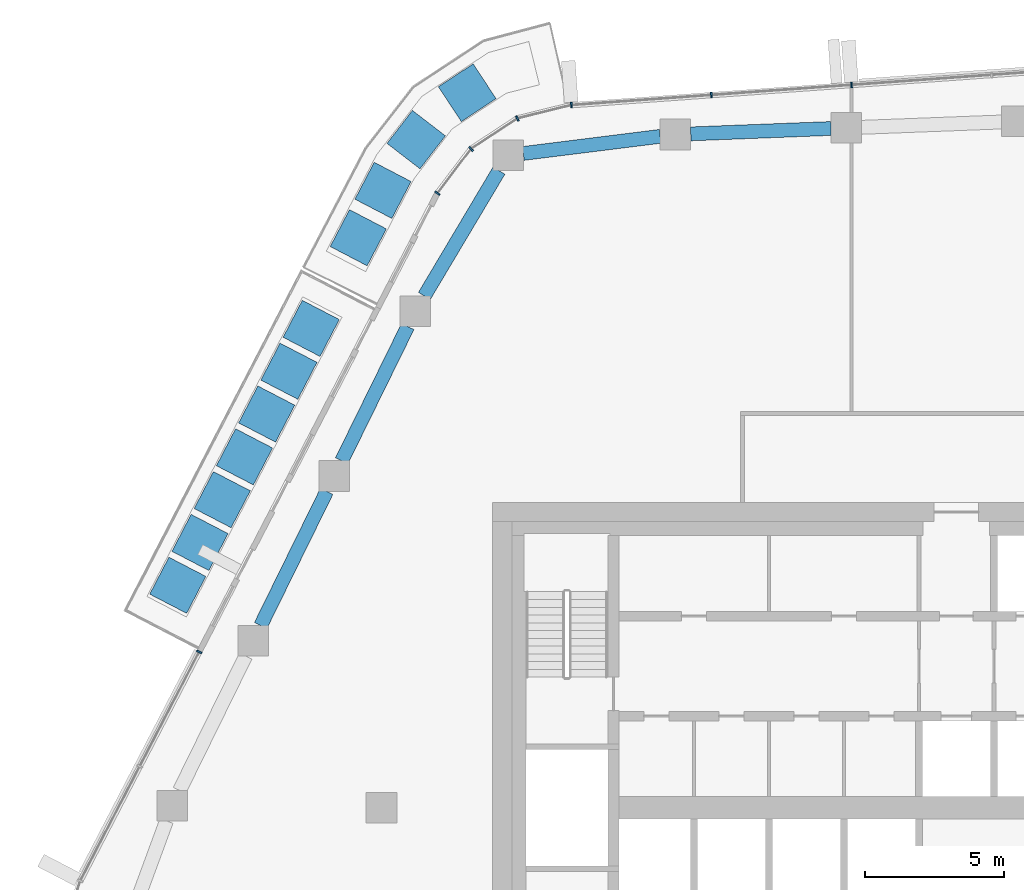
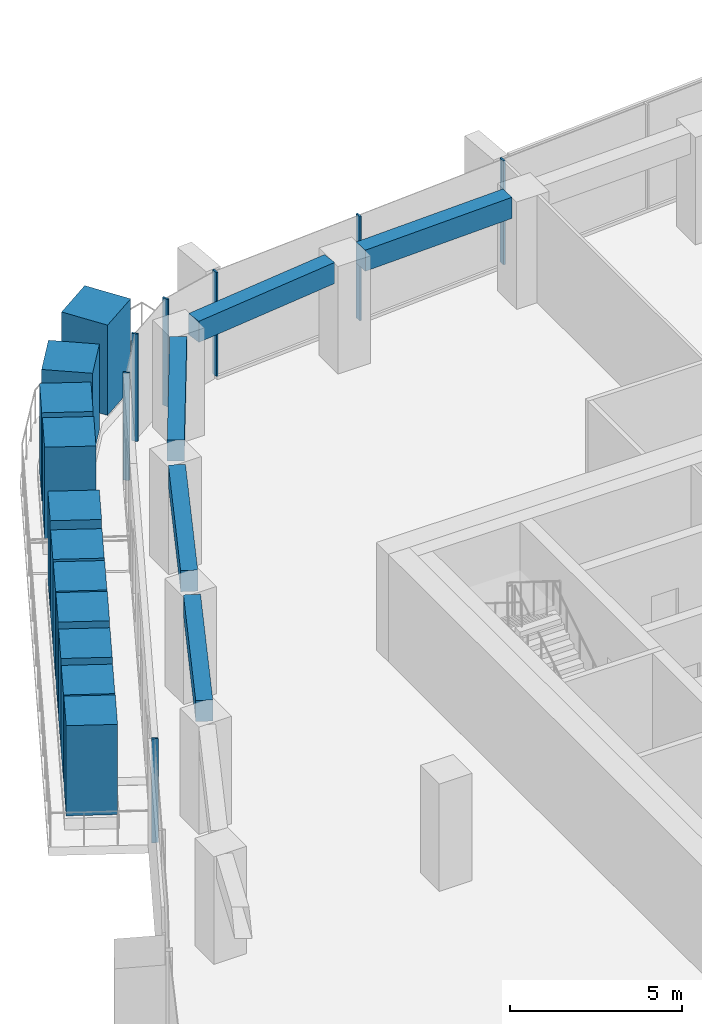
# One storey, part 7 of 21: 18 members, 5 beams, 3 elements without a shape of their own.
"""IFC4 building model written with IfcOpenShell, lengths in metres."""

from ifc_helpers import new_model, si_unit, direction, frame, origin, origin_2d, place, context, subcontext, project, spatial, rectangle, extrude, material, layer, layer_set, material_profile, profile_set, type_object, element, aggregate, save


model = new_model("IFC4")

# Units and contexts
model_context = context("Model", 3, precision=1e-05, world=origin(), true_north=direction((0.0, 1.0)))
body_context = subcontext(model_context, "Body", "Model", "MODEL_VIEW")
ifc_project = project(units=[si_unit("LENGTHUNIT", "METRE"), si_unit("AREAUNIT", "SQUARE_METRE"), si_unit("VOLUMEUNIT", "CUBIC_METRE"), si_unit("PLANEANGLEUNIT", "RADIAN"), si_unit("MASSUNIT", "GRAM", prefix="KILO")], contexts=[model_context])

# Site, building, storey
site_placement = place(None, origin())
site = spatial("IfcSite", under=ifc_project, at=site_placement, CompositionType="ELEMENT")
building_placement = place(site_placement, origin())
building = spatial("IfcBuilding", under=site, at=building_placement, Name="Dongbaek Canopy Tower", CompositionType="ELEMENT")
storey_placement = place(building_placement, frame((0.0, 0.0, 274.800048828125)))
storey = spatial("IfcBuildingStorey", under=building, at=storey_placement, Name="L58", CompositionType="ELEMENT", Elevation=274.800048828125)

# Curtain wall, members
ifc_material_1 = material(Name="Aluminium 6063-T6 pale anodised", Category="aluminium")
ifc_layer = layer(ifc_material_1, 0.199951171875)
ifc_layer_set = layer_set([ifc_layer], Name="CW-1 unitised tower curtain wall")
curtain_wall_type = type_object("IfcCurtainWallType", Name="CW-1 unitised tower curtain wall", PredefinedType="NOTDEFINED", material=ifc_layer_set)
curtain_wall_1_placement = place(storey_placement, origin())
curtain_wall_1 = element("IfcCurtainWall", 1, at=curtain_wall_1_placement, inside=storey, type_object=curtain_wall_type, Name="CW-1 curtain wall F1.1", PredefinedType="NOTDEFINED")
ifc_material_2 = material(Name="Aluminium 6063-T6 pale anodised", Category="aluminium")
ifc_material_profile_1 = material_profile(ifc_material_2, rectangle(XDim=0.199951171875, YDim=0.06005859375, at=origin_2d()), Name="CW-1 mullion 60 x 200")
ifc_profile_set_1 = profile_set([ifc_material_profile_1], Name="Aluminium 6063-T6 pale anodised")
member_type_1 = type_object("IfcMemberType", Name="CW-1 mullion 60 x 200", PredefinedType="MULLION", material=ifc_profile_set_1)
member_1_placement = place(storey_placement, frame((-1.07568359375, 26.025146484375, 0.119873046875), z_axis=(0.0, 0.0, 1.0), x_axis=(-0.07174408026, 0.997423073198, 0.0)))
member_1 = element("IfcMember", 2, at=member_1_placement, type_object=member_type_1, Name="CW-1 mullion F1.1.3", PredefinedType="MULLION", context=body_context, shape_type="SweptSolid", body=[
    extrude(rectangle(XDim=0.199951171875, YDim=0.06005859375, at=origin_2d()), origin(), (0.0, 0.0, 1.0), 3.7001953125),
])
member_2_placement = place(storey_placement, frame((-6.123046875, 25.662109375, 0.119873046875), z_axis=(0.0, 0.0, 1.0), x_axis=(-0.07174408026, 0.997423073198, 0.0)))
member_2 = element("IfcMember", 3, at=member_2_placement, type_object=member_type_1, Name="CW-1 mullion F1.1.4", PredefinedType="MULLION", context=body_context, shape_type="SweptSolid", body=[
    extrude(rectangle(XDim=0.199951171875, YDim=0.06005859375, at=origin_2d()), origin(), (0.0, 0.0, 1.0), 3.7001953125),
])
member_3_placement = place(storey_placement, frame((-11.161865234375, 25.2998046875, 0.119873046875), z_axis=(0.0, 0.0, 1.0), x_axis=(-0.07174408026, 0.997423073198, 0.0)))
member_3 = element("IfcMember", 4, at=member_3_placement, type_object=member_type_1, Name="CW-1 mullion F1.1.5", PredefinedType="MULLION", context=body_context, shape_type="SweptSolid", body=[
    extrude(rectangle(XDim=0.199951171875, YDim=0.06005859375, at=origin_2d()), origin(), (0.0, 0.0, 1.0), 3.7001953125),
])
aggregate(curtain_wall_1, [member_1, member_2, member_3])

curtain_wall_2_placement = place(storey_placement, origin())
curtain_wall_2 = element("IfcCurtainWall", 5, at=curtain_wall_2_placement, inside=storey, type_object=curtain_wall_type, Name="CW-1 curtain wall K2.1", PredefinedType="NOTDEFINED")
member_4_placement = place(storey_placement, frame((-13.10791015625, 24.819580078125, 0.0), z_axis=(0.0, 0.0, 1.0), x_axis=(-0.400265854964, 0.916399064464, 0.0)))
member_4 = element("IfcMember", 6, at=member_4_placement, type_object=member_type_1, Name="CW-1 mullion K2.1.2", PredefinedType="MULLION", context=body_context, shape_type="SweptSolid", body=[
    extrude(rectangle(XDim=0.199951171875, YDim=0.06005859375, at=origin_2d()), origin(), (0.0, 0.0, 1.0), 3.820068359375),
])
member_5_placement = place(storey_placement, frame((-14.775390625, 23.722900390625, 0.0), z_axis=(0.0, 0.0, 1.0), x_axis=(-0.682960612971, 0.730455201316, 0.0)))
member_5 = element("IfcMember", 7, at=member_5_placement, type_object=member_type_1, Name="CW-1 mullion K2.1.3", PredefinedType="MULLION", context=body_context, shape_type="SweptSolid", body=[
    extrude(rectangle(XDim=0.199951171875, YDim=0.06005859375, at=origin_2d()), origin(), (0.0, 0.0, 1.0), 3.820068359375),
])
member_6_placement = place(storey_placement, frame((-15.987060546875, 22.1259765625, 0.0), z_axis=(0.0, 0.0, 1.0), x_axis=(-0.796696055663, 0.604380174138, 0.0)))
member_6 = element("IfcMember", 8, at=member_6_placement, type_object=member_type_1, Name="CW-1 mullion K2.1.4", PredefinedType="MULLION", context=body_context, shape_type="SweptSolid", body=[
    extrude(rectangle(XDim=0.199951171875, YDim=0.06005859375, at=origin_2d()), origin(), (0.0, 0.0, 1.0), 3.820068359375),
])
aggregate(curtain_wall_2, [member_4, member_5, member_6])

# Curtain wall, member
curtain_wall_3_placement = place(storey_placement, origin())
curtain_wall_3 = element("IfcCurtainWall", 9, at=curtain_wall_3_placement, inside=storey, type_object=curtain_wall_type, Name="CW-1 curtain wall F2.1", PredefinedType="NOTDEFINED")
member_7_placement = place(storey_placement, frame((-24.560791015625, 5.616455078125, 0.119873046875), z_axis=(0.0, 0.0, 1.0), x_axis=(-0.887462222541, 0.460880465591, 0.0)))
member_7 = element("IfcMember", 10, at=member_7_placement, type_object=member_type_1, Name="CW-1 mullion F2.1.1", PredefinedType="MULLION", context=body_context, shape_type="SweptSolid", body=[
    extrude(rectangle(XDim=0.199951171875, YDim=0.06005859375, at=origin_2d()), origin(), (0.0, 0.0, 1.0), 3.7001953125),
])
aggregate(curtain_wall_3, [member_7])

# Beams
ifc_material_3 = material(Name="Concrete C70", Category="concrete")
ifc_material_profile_2 = material_profile(ifc_material_3, rectangle(XDim=0.5, YDim=0.75, at=origin_2d()), Name="RC EDGE BEAM 500x750 C70")
ifc_profile_set_2 = profile_set([ifc_material_profile_2], Name="Concrete C70")
beam_type = type_object("IfcBeamType", Name="RC EDGE BEAM 500x750 C70", PredefinedType="BEAM", material=ifc_profile_set_2)
beam_1_placement = place(storey_placement, frame((-22.350341796875, 6.56103515625, 3.445068359375), z_axis=(0.441366916234, 0.897326721576, 0.0), x_axis=(-0.897326721576, 0.441366916234, 0.0)))
element("IfcBeam", 11, at=beam_1_placement, inside=storey, type_object=beam_type, Name="EDGEBEAM:L58:10", PredefinedType="BEAM", context=body_context, shape_type="SweptSolid", body=[
    extrude(rectangle(XDim=0.5, YDim=0.75, at=origin_2d()), origin(), (0.0, 0.0, 1.0), 5.38720703125),
])
beam_2_placement = place(storey_placement, frame((-19.431396484375, 12.4951171875, 3.445068359375), z_axis=(0.441347181793, 0.89733642806, 0.0), x_axis=(-0.89733642806, 0.441347181793, 0.0)))
element("IfcBeam", 12, at=beam_2_placement, inside=storey, type_object=beam_type, Name="EDGEBEAM:L58:11", PredefinedType="BEAM", context=body_context, shape_type="SweptSolid", body=[
    extrude(rectangle(XDim=0.5, YDim=0.75, at=origin_2d()), origin(), (0.0, 0.0, 1.0), 5.3857421875),
])
beam_3_placement = place(storey_placement, frame((-16.45654296875, 18.427978515625, 3.445068359375), z_axis=(0.511587639318, 0.85923110238, 0.0), x_axis=(-0.85923110238, 0.511587639318, 0.0)))
element("IfcBeam", 13, at=beam_3_placement, inside=storey, type_object=beam_type, Name="EDGEBEAM:L58:12", PredefinedType="BEAM", context=body_context, shape_type="SweptSolid", body=[
    extrude(rectangle(XDim=0.5, YDim=0.75, at=origin_2d()), origin(), (0.0, 0.0, 1.0), 5.252197265625),
])
beam_4_placement = place(storey_placement, frame((-12.89208984375, 23.5595703125, 3.445068359375), z_axis=(0.992305840698, 0.123810817446, 0.0), x_axis=(-0.123810817446, 0.992305840698, 0.0)))
element("IfcBeam", 14, at=beam_4_placement, inside=storey, type_object=beam_type, Name="EDGEBEAM:L58:13", PredefinedType="BEAM", context=body_context, shape_type="SweptSolid", body=[
    extrude(rectangle(XDim=0.5, YDim=0.75, at=origin_2d()), origin(), (0.0, 0.0, 1.0), 4.965087890625),
])
beam_5_placement = place(storey_placement, frame((-6.864990234375, 24.26416015625, 3.445068359375), z_axis=(0.999263812988, 0.038364463397, 0.0), x_axis=(-0.038364463397, 0.999263812988, 0.0)))
element("IfcBeam", 15, at=beam_5_placement, inside=storey, type_object=beam_type, Name="EDGEBEAM:L58:14", PredefinedType="BEAM", context=body_context, shape_type="SweptSolid", body=[
    extrude(rectangle(XDim=0.5, YDim=0.75, at=origin_2d()), origin(), (0.0, 0.0, 1.0), 5.052734375),
])

# Members
ifc_material_4 = material(Name="Concrete C40/50 planter mass with planting", Category="concrete")
ifc_material_profile_3 = material_profile(ifc_material_4, rectangle(XDim=1.5, YDim=1.5, at=origin_2d()), Name="Terrace PLANTER shrub mass 1500 x 1500")
ifc_profile_set_3 = profile_set([ifc_material_profile_3], Name="Concrete C40/50 planter mass with planting")
member_type_2 = type_object("IfcMemberType", Name="Terrace PLANTER shrub mass 1500 x 1500", PredefinedType="USERDEFINED", material=ifc_profile_set_3)
member_8_placement = place(storey_placement, frame((-20.531005859375, 17.259765625, 0.419921875), z_axis=(0.0, 0.0, 1.0), x_axis=(-0.887462222541, 0.460880465591, 0.0)))
element("IfcMember", 16, at=member_8_placement, inside=storey, type_object=member_type_2, Name="Planter shrubs L58 1.1", ObjectType="PLANTER", PredefinedType="USERDEFINED", context=body_context, shape_type="SweptSolid", body=[
    extrude(rectangle(XDim=1.5, YDim=1.5, at=origin_2d()), origin(), (0.0, 0.0, 1.0), 3.2099609375),
])
member_9_placement = place(storey_placement, frame((-21.33154296875, 15.71826171875, 0.419921875), z_axis=(0.0, 0.0, 1.0), x_axis=(-0.887462222541, 0.460880465591, 0.0)))
element("IfcMember", 17, at=member_9_placement, inside=storey, type_object=member_type_2, Name="Planter shrubs L58 1.2", ObjectType="PLANTER", PredefinedType="USERDEFINED", context=body_context, shape_type="SweptSolid", body=[
    extrude(rectangle(XDim=1.5, YDim=1.5, at=origin_2d()), origin(), (0.0, 0.0, 1.0), 3.050048828125),
])
member_10_placement = place(storey_placement, frame((-22.132080078125, 14.1767578125, 0.419921875), z_axis=(0.0, 0.0, 1.0), x_axis=(-0.887462222541, 0.460880465591, 0.0)))
element("IfcMember", 18, at=member_10_placement, inside=storey, type_object=member_type_2, Name="Planter shrubs L58 1.3", ObjectType="PLANTER", PredefinedType="USERDEFINED", context=body_context, shape_type="SweptSolid", body=[
    extrude(rectangle(XDim=1.5, YDim=1.5, at=origin_2d()), origin(), (0.0, 0.0, 1.0), 3.130126953125),
])
member_11_placement = place(storey_placement, frame((-22.9326171875, 12.63525390625, 0.419921875), z_axis=(0.0, 0.0, 1.0), x_axis=(-0.887462222541, 0.460880465591, 0.0)))
element("IfcMember", 19, at=member_11_placement, inside=storey, type_object=member_type_2, Name="Planter shrubs L58 1.4", ObjectType="PLANTER", PredefinedType="USERDEFINED", context=body_context, shape_type="SweptSolid", body=[
    extrude(rectangle(XDim=1.5, YDim=1.5, at=origin_2d()), origin(), (0.0, 0.0, 1.0), 3.25),
])
member_12_placement = place(storey_placement, frame((-23.733154296875, 11.09375, 0.419921875), z_axis=(0.0, 0.0, 1.0), x_axis=(-0.887462222541, 0.460880465591, 0.0)))
element("IfcMember", 20, at=member_12_placement, inside=storey, type_object=member_type_2, Name="Planter shrubs L58 1.5", ObjectType="PLANTER", PredefinedType="USERDEFINED", context=body_context, shape_type="SweptSolid", body=[
    extrude(rectangle(XDim=1.5, YDim=1.5, at=origin_2d()), origin(), (0.0, 0.0, 1.0), 3.169921875),
])
member_13_placement = place(storey_placement, frame((-24.53369140625, 9.55224609375, 0.419921875), z_axis=(0.0, 0.0, 1.0), x_axis=(-0.887462222541, 0.460880465591, 0.0)))
element("IfcMember", 21, at=member_13_placement, inside=storey, type_object=member_type_2, Name="Planter shrubs L58 1.6", ObjectType="PLANTER", PredefinedType="USERDEFINED", context=body_context, shape_type="SweptSolid", body=[
    extrude(rectangle(XDim=1.5, YDim=1.5, at=origin_2d()), origin(), (0.0, 0.0, 1.0), 3.090087890625),
])
for number, where, z_axis, x_axis, name in (
    (22, (-25.334228515625, 8.010986328125, 0.419921875), (0.0, 0.0, 1.0), (-0.887462222541, 0.460880465591, 0.0), "Planter shrubs L58 1.7"),
    (23, (-14.912109375, 25.746337890625, 0.419921875), (0.0, 0.0, 1.0), (-0.549534962743, 0.835470720446, 0.0), "Planter shrubs L58 5.1"),
):
    element("IfcMember", number, at=place(storey_placement, frame(where, z_axis=z_axis, x_axis=x_axis)), inside=storey, type_object=member_type_2, Name=name, ObjectType="PLANTER", PredefinedType="USERDEFINED", context=body_context, shape_type="SweptSolid", body=[
        extrude(rectangle(XDim=1.5, YDim=1.5, at=origin_2d()), origin(), (0.0, 0.0, 1.0), 3.2099609375),
    ])
member_14_placement = place(storey_placement, frame((-16.74951171875, 24.05712890625, 0.419921875), z_axis=(0.0, 0.0, 1.0), x_axis=(-0.79218720502, 0.610278159697, 0.0)))
element("IfcMember", 24, at=member_14_placement, inside=storey, type_object=member_type_2, Name="Planter shrubs L58 5.2", ObjectType="PLANTER", PredefinedType="USERDEFINED", context=body_context, shape_type="SweptSolid", body=[
    extrude(rectangle(XDim=1.5, YDim=1.5, at=origin_2d()), origin(), (0.0, 0.0, 1.0), 3.050048828125),
])
member_15_placement = place(storey_placement, frame((-17.944580078125, 22.230224609375, 0.419921875), z_axis=(0.0, 0.0, 1.0), x_axis=(-0.886730010446, 0.462287668638, 0.0)))
element("IfcMember", 25, at=member_15_placement, inside=storey, type_object=member_type_2, Name="Planter shrubs L58 5.3", ObjectType="PLANTER", PredefinedType="USERDEFINED", context=body_context, shape_type="SweptSolid", body=[
    extrude(rectangle(XDim=1.5, YDim=1.5, at=origin_2d()), origin(), (0.0, 0.0, 1.0), 3.130126953125),
])
member_16_placement = place(storey_placement, frame((-18.833740234375, 20.52490234375, 0.419921875), z_axis=(0.0, 0.0, 1.0), x_axis=(-0.886730010446, 0.462287668638, 0.0)))
element("IfcMember", 26, at=member_16_placement, inside=storey, type_object=member_type_2, Name="Planter shrubs L58 5.4", ObjectType="PLANTER", PredefinedType="USERDEFINED", context=body_context, shape_type="SweptSolid", body=[
    extrude(rectangle(XDim=1.5, YDim=1.5, at=origin_2d()), origin(), (0.0, 0.0, 1.0), 3.25),
])

save(model, "model.ifc")
